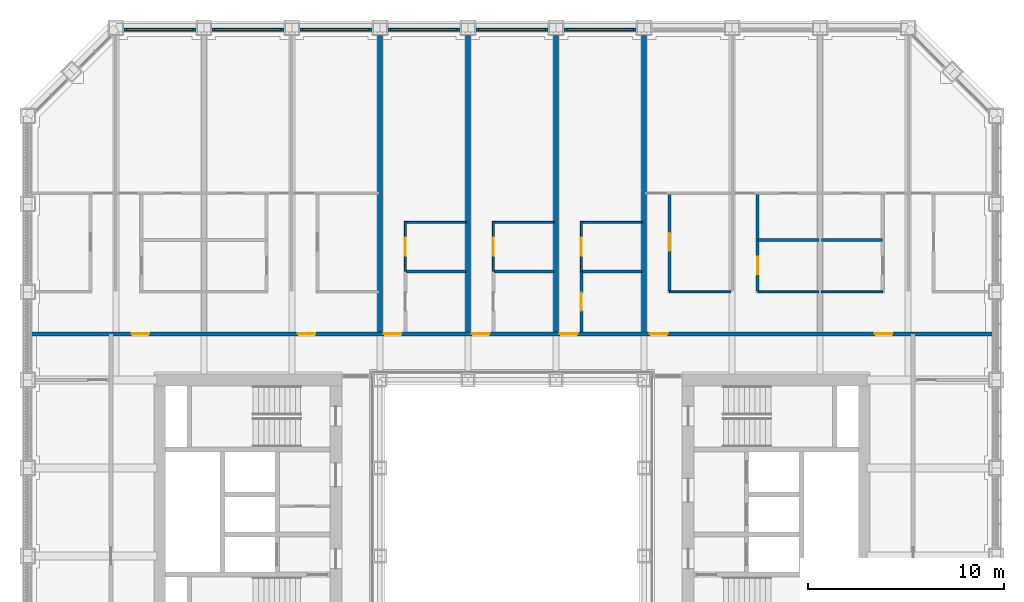
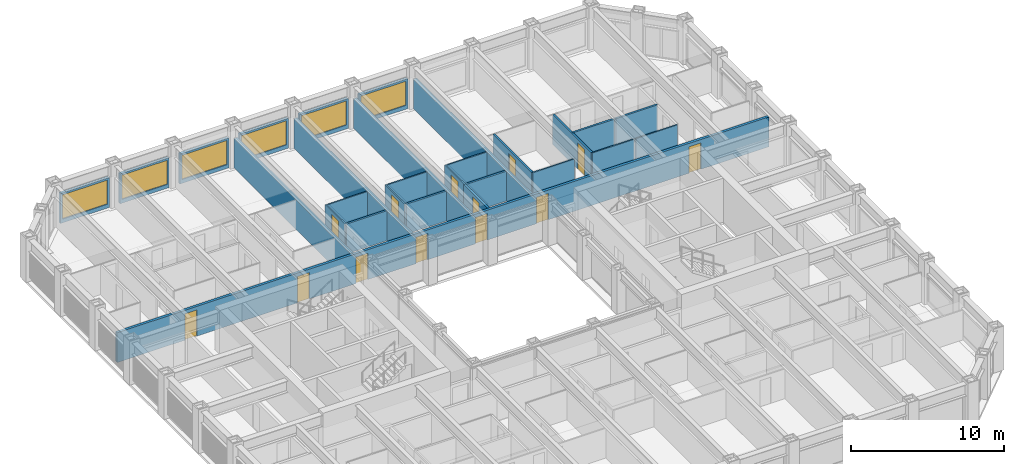
# One storey, part 14 of 21: 28 walls, 13 doors, 6 windows, 19 openings.
"""IFC4 building model written with IfcOpenShell, lengths in metres."""

from ifc_helpers import new_model, si_unit, direction, frame, frame_2d, origin, place, context, subcontext, project, spatial, rectangle, extrude, material, layer, layer_set, type_object, element, fill, save


model = new_model("IFC4")

# Units and contexts
model_context = context("Model", 3, precision=1e-05, world=origin(), true_north=direction((0.0, 1.0)))
body_context = subcontext(model_context, "Body", "Model", "MODEL_VIEW")
ifc_project = project(units=[si_unit("LENGTHUNIT", "METRE"), si_unit("AREAUNIT", "SQUARE_METRE"), si_unit("VOLUMEUNIT", "CUBIC_METRE"), si_unit("PLANEANGLEUNIT", "RADIAN"), si_unit("MASSUNIT", "GRAM", prefix="KILO")], contexts=[model_context])

# Site, building, storey
site_placement = place(None, origin())
site = spatial("IfcSite", under=ifc_project, at=site_placement, CompositionType="ELEMENT")
building_placement = place(site_placement, origin())
building = spatial("IfcBuilding", under=site, at=building_placement, Name="Msasa Ring Tower", CompositionType="ELEMENT")
storey_placement = place(building_placement, frame((0.0, 0.0, 37.0)))
storey = spatial("IfcBuildingStorey", under=building, at=storey_placement, Name="L08", CompositionType="ELEMENT", Elevation=37.0)

# Wall, opening, window
ifc_material_1 = material(Name="Terracotta rainscreen on blockwork", Category="masonry")
ifc_layer_1 = layer(ifc_material_1, 0.199951171875)
ifc_layer_set_1 = layer_set([ifc_layer_1], Name="FW1 TERRACOTTA-LINED INFILL BAY WALL 200")
wall_type_1 = type_object("IfcWallType", Name="FW1 TERRACOTTA-LINED INFILL BAY WALL 200", PredefinedType="SOLIDWALL", material=ifc_layer_set_1)
wall_1_placement = place(storey_placement, frame((-19.844970703125, 24.64990234375, 0.0), z_axis=(0.0, 0.0, 1.0), x_axis=(1.0, 0.0, 0.0)))
wall_1 = element("IfcWall", 1, at=wall_1_placement, inside=storey, type_object=wall_type_1, Name="Infill bay wall N L08 22", PredefinedType="SOLIDWALL", context=body_context, shape_type="SweptSolid", body=[
    extrude(rectangle(XDim=3.68994140625, YDim=0.199951171875, at=frame_2d((1.844970703125, 0.0))), origin(), (0.0, 0.0, 1.0), 2.37890625),
])
opening_1_placement = place(wall_1_placement, frame((0.14501953125, 0.0, 0.300048828125)))
opening_1 = element("IfcOpeningElement", 2, at=opening_1_placement, cuts=wall_1, Name="Opening WN1", PredefinedType="OPENING", context=body_context, shape_type="SweptSolid", body=[
    extrude(rectangle(XDim=3.39990234375, YDim=1.928955078125, at=frame_2d((1.699951171875, 0.96435546875))), frame((0.0, 0.10986328125, 0.0), z_axis=(0.0, -1.0, 0.0), x_axis=(1.0, 0.0, 0.0)), (0.0, 0.0, 1.0), 0.219970703125),
])
ifc_material_2 = material(Name="Aluminium frame with clear glass", Category="aluminium")
window_type = type_object("IfcWindowType", Name="WN1 RESIDENCE WINDOW 3400x1929", PartitioningType="SINGLE_PANEL", PredefinedType="WINDOW", material=ifc_material_2)
window_1_placement = place(opening_1_placement, origin())
window_1 = element("IfcWindow", 3, at=window_1_placement, inside=storey, type_object=window_type, Name="Window N L08 22", OverallHeight=1.928955078125, OverallWidth=3.39990234375, PartitioningType="SINGLE_PANEL", PredefinedType="WINDOW", context=body_context, shape_type="SweptSolid", body=[
    extrude(rectangle(XDim=3.39990234375, YDim=1.928955078125, at=frame_2d((1.699951171875, 0.96435546875))), frame((0.0, 0.030029296875, 0.0), z_axis=(0.0, -1.0, 0.0), x_axis=(1.0, 0.0, 0.0)), (0.0, 0.0, 1.0), 0.06005859375),
])
fill(opening_1, window_1)

wall_2_placement = place(storey_placement, frame((-15.344970703125, 24.64990234375, 0.0), z_axis=(0.0, 0.0, 1.0), x_axis=(1.0, 0.0, 0.0)))
wall_2 = element("IfcWall", 4, at=wall_2_placement, inside=storey, type_object=wall_type_1, Name="Infill bay wall N L08 23", PredefinedType="SOLIDWALL", context=body_context, shape_type="SweptSolid", body=[
    extrude(rectangle(XDim=3.68994140625, YDim=0.199951171875, at=frame_2d((1.844970703125, 0.0))), origin(), (0.0, 0.0, 1.0), 2.37890625),
])
opening_2_placement = place(wall_2_placement, frame((0.14501953125, 0.0, 0.300048828125)))
opening_2 = element("IfcOpeningElement", 5, at=opening_2_placement, cuts=wall_2, Name="Opening WN1", PredefinedType="OPENING", context=body_context, shape_type="SweptSolid", body=[
    extrude(rectangle(XDim=3.39990234375, YDim=1.928955078125, at=frame_2d((1.699951171875, 0.96435546875))), frame((0.0, 0.10986328125, 0.0), z_axis=(0.0, -1.0, 0.0), x_axis=(1.0, 0.0, 0.0)), (0.0, 0.0, 1.0), 0.219970703125),
])
window_2_placement = place(opening_2_placement, origin())
window_2 = element("IfcWindow", 6, at=window_2_placement, inside=storey, type_object=window_type, Name="Window N L08 23", OverallHeight=1.928955078125, OverallWidth=3.39990234375, PartitioningType="SINGLE_PANEL", PredefinedType="WINDOW", context=body_context, shape_type="SweptSolid", body=[
    extrude(rectangle(XDim=3.39990234375, YDim=1.928955078125, at=frame_2d((1.699951171875, 0.96435546875))), frame((0.0, 0.030029296875, 0.0), z_axis=(0.0, -1.0, 0.0), x_axis=(1.0, 0.0, 0.0)), (0.0, 0.0, 1.0), 0.06005859375),
])
fill(opening_2, window_2)

wall_3_placement = place(storey_placement, frame((-10.844970703125, 24.64990234375, 0.0), z_axis=(0.0, 0.0, 1.0), x_axis=(1.0, 0.0, 0.0)))
wall_3 = element("IfcWall", 7, at=wall_3_placement, inside=storey, type_object=wall_type_1, Name="Infill bay wall N L08 24", PredefinedType="SOLIDWALL", context=body_context, shape_type="SweptSolid", body=[
    extrude(rectangle(XDim=3.68994140625, YDim=0.199951171875, at=frame_2d((1.844970703125, 0.0))), origin(), (0.0, 0.0, 1.0), 2.37890625),
])
opening_3_placement = place(wall_3_placement, frame((0.14501953125, 0.0, 0.300048828125)))
opening_3 = element("IfcOpeningElement", 8, at=opening_3_placement, cuts=wall_3, Name="Opening WN1", PredefinedType="OPENING", context=body_context, shape_type="SweptSolid", body=[
    extrude(rectangle(XDim=3.39990234375, YDim=1.928955078125, at=frame_2d((1.699951171875, 0.96435546875))), frame((0.0, 0.10986328125, 0.0), z_axis=(0.0, -1.0, 0.0), x_axis=(1.0, 0.0, 0.0)), (0.0, 0.0, 1.0), 0.219970703125),
])
window_3_placement = place(opening_3_placement, origin())
window_3 = element("IfcWindow", 9, at=window_3_placement, inside=storey, type_object=window_type, Name="Window N L08 24", OverallHeight=1.928955078125, OverallWidth=3.39990234375, PartitioningType="SINGLE_PANEL", PredefinedType="WINDOW", context=body_context, shape_type="SweptSolid", body=[
    extrude(rectangle(XDim=3.39990234375, YDim=1.928955078125, at=frame_2d((1.699951171875, 0.96435546875))), frame((0.0, 0.030029296875, 0.0), z_axis=(0.0, -1.0, 0.0), x_axis=(1.0, 0.0, 0.0)), (0.0, 0.0, 1.0), 0.06005859375),
])
fill(opening_3, window_3)

wall_4_placement = place(storey_placement, frame((-6.344970703125, 24.64990234375, 0.0), z_axis=(0.0, 0.0, 1.0), x_axis=(1.0, 0.0, 0.0)))
wall_4 = element("IfcWall", 10, at=wall_4_placement, inside=storey, type_object=wall_type_1, Name="Infill bay wall N L08 25", PredefinedType="SOLIDWALL", context=body_context, shape_type="SweptSolid", body=[
    extrude(rectangle(XDim=3.68994140625, YDim=0.199951171875, at=frame_2d((1.844970703125, 0.0))), origin(), (0.0, 0.0, 1.0), 2.37890625),
])
opening_4_placement = place(wall_4_placement, frame((0.14501953125, 0.0, 0.300048828125)))
opening_4 = element("IfcOpeningElement", 11, at=opening_4_placement, cuts=wall_4, Name="Opening WN1", PredefinedType="OPENING", context=body_context, shape_type="SweptSolid", body=[
    extrude(rectangle(XDim=3.39990234375, YDim=1.928955078125, at=frame_2d((1.699951171875, 0.96435546875))), frame((0.0, 0.10986328125, 0.0), z_axis=(0.0, -1.0, 0.0), x_axis=(1.0, 0.0, 0.0)), (0.0, 0.0, 1.0), 0.219970703125),
])
window_4_placement = place(opening_4_placement, origin())
window_4 = element("IfcWindow", 12, at=window_4_placement, inside=storey, type_object=window_type, Name="Window N L08 25", OverallHeight=1.928955078125, OverallWidth=3.39990234375, PartitioningType="SINGLE_PANEL", PredefinedType="WINDOW", context=body_context, shape_type="SweptSolid", body=[
    extrude(rectangle(XDim=3.39990234375, YDim=1.928955078125, at=frame_2d((1.699951171875, 0.96435546875))), frame((0.0, 0.030029296875, 0.0), z_axis=(0.0, -1.0, 0.0), x_axis=(1.0, 0.0, 0.0)), (0.0, 0.0, 1.0), 0.06005859375),
])
fill(opening_4, window_4)

wall_5_placement = place(storey_placement, frame((-1.844970703125, 24.64990234375, 0.0), z_axis=(0.0, 0.0, 1.0), x_axis=(1.0, 0.0, 0.0)))
wall_5 = element("IfcWall", 13, at=wall_5_placement, inside=storey, type_object=wall_type_1, Name="Infill bay wall N L08 26", PredefinedType="SOLIDWALL", context=body_context, shape_type="SweptSolid", body=[
    extrude(rectangle(XDim=3.68994140625, YDim=0.199951171875, at=frame_2d((1.844970703125, 0.0))), origin(), (0.0, 0.0, 1.0), 2.37890625),
])
opening_5_placement = place(wall_5_placement, frame((0.14501953125, 0.0, 0.300048828125)))
opening_5 = element("IfcOpeningElement", 14, at=opening_5_placement, cuts=wall_5, Name="Opening WN1", PredefinedType="OPENING", context=body_context, shape_type="SweptSolid", body=[
    extrude(rectangle(XDim=3.39990234375, YDim=1.928955078125, at=frame_2d((1.699951171875, 0.96435546875))), frame((0.0, 0.10986328125, 0.0), z_axis=(0.0, -1.0, 0.0), x_axis=(1.0, 0.0, 0.0)), (0.0, 0.0, 1.0), 0.219970703125),
])
window_5_placement = place(opening_5_placement, origin())
window_5 = element("IfcWindow", 15, at=window_5_placement, inside=storey, type_object=window_type, Name="Window N L08 26", OverallHeight=1.928955078125, OverallWidth=3.39990234375, PartitioningType="SINGLE_PANEL", PredefinedType="WINDOW", context=body_context, shape_type="SweptSolid", body=[
    extrude(rectangle(XDim=3.39990234375, YDim=1.928955078125, at=frame_2d((1.699951171875, 0.96435546875))), frame((0.0, 0.030029296875, 0.0), z_axis=(0.0, -1.0, 0.0), x_axis=(1.0, 0.0, 0.0)), (0.0, 0.0, 1.0), 0.06005859375),
])
fill(opening_5, window_5)

wall_6_placement = place(storey_placement, frame((2.655029296875, 24.64990234375, 0.0), z_axis=(0.0, 0.0, 1.0), x_axis=(1.0, 0.0, 0.0)))
wall_6 = element("IfcWall", 16, at=wall_6_placement, inside=storey, type_object=wall_type_1, Name="Infill bay wall N L08 27", PredefinedType="SOLIDWALL", context=body_context, shape_type="SweptSolid", body=[
    extrude(rectangle(XDim=3.68994140625, YDim=0.199951171875, at=frame_2d((1.844970703125, 0.0))), origin(), (0.0, 0.0, 1.0), 2.37890625),
])
opening_6_placement = place(wall_6_placement, frame((0.14501953125, 0.0, 0.300048828125)))
opening_6 = element("IfcOpeningElement", 17, at=opening_6_placement, cuts=wall_6, Name="Opening WN1", PredefinedType="OPENING", context=body_context, shape_type="SweptSolid", body=[
    extrude(rectangle(XDim=3.39990234375, YDim=1.928955078125, at=frame_2d((1.699951171875, 0.96435546875))), frame((0.0, 0.10986328125, 0.0), z_axis=(0.0, -1.0, 0.0), x_axis=(1.0, 0.0, 0.0)), (0.0, 0.0, 1.0), 0.219970703125),
])
window_6_placement = place(opening_6_placement, origin())
window_6 = element("IfcWindow", 18, at=window_6_placement, inside=storey, type_object=window_type, Name="Window N L08 27", OverallHeight=1.928955078125, OverallWidth=3.39990234375, PartitioningType="SINGLE_PANEL", PredefinedType="WINDOW", context=body_context, shape_type="SweptSolid", body=[
    extrude(rectangle(XDim=3.39990234375, YDim=1.928955078125, at=frame_2d((1.699951171875, 0.96435546875))), frame((0.0, 0.030029296875, 0.0), z_axis=(0.0, -1.0, 0.0), x_axis=(1.0, 0.0, 0.0)), (0.0, 0.0, 1.0), 0.06005859375),
])
fill(opening_6, window_6)

# Wall, openings, doors
ifc_material_3 = material(Name="Concrete blockwork", Category="masonry")
ifc_layer_2 = layer(ifc_material_3, 0.199951171875)
ifc_layer_set_2 = layer_set([ifc_layer_2], Name="PT1 CORRIDOR WALL 200")
wall_type_2 = type_object("IfcWallType", Name="PT1 CORRIDOR WALL 200", PredefinedType="PARTITIONING", material=ifc_layer_set_2)
wall_7_placement = place(storey_placement, frame((-24.550048828125, 9.10009765625, 0.0), z_axis=(0.0, 0.0, 1.0), x_axis=(1.0, 0.0, 0.0)))
wall_7 = element("IfcWall", 19, at=wall_7_placement, inside=storey, type_object=wall_type_2, Name="Corridor wall L08-CORRN0", PredefinedType="PARTITIONING", context=body_context, shape_type="SweptSolid", body=[
    extrude(rectangle(XDim=49.10009765625, YDim=0.199951171875, at=frame_2d((24.550048828125, 0.0))), origin(), (0.0, 0.0, 1.0), 2.373291015625),
])
opening_7_placement = place(wall_7_placement, frame((5.10009765625, 0.0, 0.0)))
opening_7 = element("IfcOpeningElement", 20, at=opening_7_placement, cuts=wall_7, Name="Opening RB-027", PredefinedType="OPENING", context=body_context, shape_type="SweptSolid", body=[
    extrude(rectangle(XDim=0.89990234375, YDim=2.10009765625, at=frame_2d((0.449951171875, 1.050048828125))), frame((0.0, 0.10986328125, 0.0), z_axis=(0.0, -1.0, 0.0), x_axis=(1.0, 0.0, 0.0)), (0.0, 0.0, 1.0), 0.219970703125),
])
opening_8_placement = place(wall_7_placement, frame((13.60009765625, 0.0, 0.0)))
opening_8 = element("IfcOpeningElement", 21, at=opening_8_placement, cuts=wall_7, Name="Opening RB-028", PredefinedType="OPENING", context=body_context, shape_type="SweptSolid", body=[
    extrude(rectangle(XDim=0.89990234375, YDim=2.10009765625, at=frame_2d((0.449951171875, 1.050048828125))), frame((0.0, 0.10986328125, 0.0), z_axis=(0.0, -1.0, 0.0), x_axis=(1.0, 0.0, 0.0)), (0.0, 0.0, 1.0), 0.219970703125),
])
opening_9_placement = place(wall_7_placement, frame((18.0, 0.0, 0.0)))
opening_9 = element("IfcOpeningElement", 22, at=opening_9_placement, cuts=wall_7, Name="Opening RB-029", PredefinedType="OPENING", context=body_context, shape_type="SweptSolid", body=[
    extrude(rectangle(XDim=0.89990234375, YDim=2.10009765625, at=frame_2d((0.449951171875, 1.050048828125))), frame((0.0, 0.10986328125, 0.0), z_axis=(0.0, -1.0, 0.0), x_axis=(1.0, 0.0, 0.0)), (0.0, 0.0, 1.0), 0.219970703125),
])
opening_10_placement = place(wall_7_placement, frame((22.5, 0.0, 0.0)))
opening_10 = element("IfcOpeningElement", 23, at=opening_10_placement, cuts=wall_7, Name="Opening RB-030", PredefinedType="OPENING", context=body_context, shape_type="SweptSolid", body=[
    extrude(rectangle(XDim=0.89990234375, YDim=2.10009765625, at=frame_2d((0.449951171875, 1.050048828125))), frame((0.0, 0.10986328125, 0.0), z_axis=(0.0, -1.0, 0.0), x_axis=(1.0, 0.0, 0.0)), (0.0, 0.0, 1.0), 0.219970703125),
])
opening_11_placement = place(wall_7_placement, frame((27.0, 0.0, 0.0)))
opening_11 = element("IfcOpeningElement", 24, at=opening_11_placement, cuts=wall_7, Name="Opening RB-031", PredefinedType="OPENING", context=body_context, shape_type="SweptSolid", body=[
    extrude(rectangle(XDim=0.89990234375, YDim=2.10009765625, at=frame_2d((0.449951171875, 1.050048828125))), frame((0.0, 0.10986328125, 0.0), z_axis=(0.0, -1.0, 0.0), x_axis=(1.0, 0.0, 0.0)), (0.0, 0.0, 1.0), 0.219970703125),
])
opening_12_placement = place(wall_7_placement, frame((31.60009765625, 0.0, 0.0)))
opening_12 = element("IfcOpeningElement", 25, at=opening_12_placement, cuts=wall_7, Name="Opening RB-032", PredefinedType="OPENING", context=body_context, shape_type="SweptSolid", body=[
    extrude(rectangle(XDim=0.89990234375, YDim=2.10009765625, at=frame_2d((0.449951171875, 1.050048828125))), frame((0.0, 0.10986328125, 0.0), z_axis=(0.0, -1.0, 0.0), x_axis=(1.0, 0.0, 0.0)), (0.0, 0.0, 1.0), 0.219970703125),
])
opening_13_placement = place(wall_7_placement, frame((43.10009765625, 0.0, 0.0)))
opening_13 = element("IfcOpeningElement", 26, at=opening_13_placement, cuts=wall_7, Name="Opening RB-033", PredefinedType="OPENING", context=body_context, shape_type="SweptSolid", body=[
    extrude(rectangle(XDim=0.89990234375, YDim=2.10009765625, at=frame_2d((0.449951171875, 1.050048828125))), frame((0.0, 0.10986328125, 0.0), z_axis=(0.0, -1.0, 0.0), x_axis=(1.0, 0.0, 0.0)), (0.0, 0.0, 1.0), 0.219970703125),
])
ifc_material_4 = material(Name="Timber door leaf in a steel frame", Category="steel")
door_type_1 = type_object("IfcDoorType", Name="D2 ENTRANCE DOOR 900x2100", OperationType="SINGLE_SWING_LEFT", PredefinedType="DOOR", material=ifc_material_4)
door_1_placement = place(opening_7_placement, origin())
door_1 = element("IfcDoor", 27, at=door_1_placement, inside=storey, type_object=door_type_1, Name="Door L08-UN00", OperationType="SINGLE_SWING_LEFT", OverallHeight=2.10009765625, OverallWidth=0.89990234375, PredefinedType="DOOR", context=body_context, shape_type="SweptSolid", body=[
    extrude(rectangle(XDim=0.89990234375, YDim=2.10009765625, at=frame_2d((0.449951171875, 1.050048828125))), frame((0.0, 0.02490234375, 0.0), z_axis=(0.0, -1.0, 0.0), x_axis=(1.0, 0.0, 0.0)), (0.0, 0.0, 1.0), 0.050048828125),
])
fill(opening_7, door_1)
door_2_placement = place(opening_8_placement, origin())
door_2 = element("IfcDoor", 28, at=door_2_placement, inside=storey, type_object=door_type_1, Name="Door L08-UN01", OperationType="SINGLE_SWING_LEFT", OverallHeight=2.10009765625, OverallWidth=0.89990234375, PredefinedType="DOOR", context=body_context, shape_type="SweptSolid", body=[
    extrude(rectangle(XDim=0.89990234375, YDim=2.10009765625, at=frame_2d((0.449951171875, 1.050048828125))), frame((0.0, 0.02490234375, 0.0), z_axis=(0.0, -1.0, 0.0), x_axis=(1.0, 0.0, 0.0)), (0.0, 0.0, 1.0), 0.050048828125),
])
fill(opening_8, door_2)
door_3_placement = place(opening_9_placement, origin())
door_3 = element("IfcDoor", 29, at=door_3_placement, inside=storey, type_object=door_type_1, Name="Door L08-UN02", OperationType="SINGLE_SWING_LEFT", OverallHeight=2.10009765625, OverallWidth=0.89990234375, PredefinedType="DOOR", context=body_context, shape_type="SweptSolid", body=[
    extrude(rectangle(XDim=0.89990234375, YDim=2.10009765625, at=frame_2d((0.449951171875, 1.050048828125))), frame((0.0, 0.02490234375, 0.0), z_axis=(0.0, -1.0, 0.0), x_axis=(1.0, 0.0, 0.0)), (0.0, 0.0, 1.0), 0.050048828125),
])
fill(opening_9, door_3)
door_4_placement = place(opening_10_placement, origin())
door_4 = element("IfcDoor", 30, at=door_4_placement, inside=storey, type_object=door_type_1, Name="Door L08-UN03", OperationType="SINGLE_SWING_LEFT", OverallHeight=2.10009765625, OverallWidth=0.89990234375, PredefinedType="DOOR", context=body_context, shape_type="SweptSolid", body=[
    extrude(rectangle(XDim=0.89990234375, YDim=2.10009765625, at=frame_2d((0.449951171875, 1.050048828125))), frame((0.0, 0.02490234375, 0.0), z_axis=(0.0, -1.0, 0.0), x_axis=(1.0, 0.0, 0.0)), (0.0, 0.0, 1.0), 0.050048828125),
])
fill(opening_10, door_4)
door_5_placement = place(opening_11_placement, origin())
door_5 = element("IfcDoor", 31, at=door_5_placement, inside=storey, type_object=door_type_1, Name="Door L08-UN04", OperationType="SINGLE_SWING_RIGHT", OverallHeight=2.10009765625, OverallWidth=0.89990234375, PredefinedType="DOOR", context=body_context, shape_type="SweptSolid", body=[
    extrude(rectangle(XDim=0.89990234375, YDim=2.10009765625, at=frame_2d((0.449951171875, 1.050048828125))), frame((0.0, 0.02490234375, 0.0), z_axis=(0.0, -1.0, 0.0), x_axis=(1.0, 0.0, 0.0)), (0.0, 0.0, 1.0), 0.050048828125),
])
fill(opening_11, door_5)
door_6_placement = place(opening_12_placement, origin())
door_6 = element("IfcDoor", 32, at=door_6_placement, inside=storey, type_object=door_type_1, Name="Door L08-UN05", OperationType="SINGLE_SWING_RIGHT", OverallHeight=2.10009765625, OverallWidth=0.89990234375, PredefinedType="DOOR", context=body_context, shape_type="SweptSolid", body=[
    extrude(rectangle(XDim=0.89990234375, YDim=2.10009765625, at=frame_2d((0.449951171875, 1.050048828125))), frame((0.0, 0.02490234375, 0.0), z_axis=(0.0, -1.0, 0.0), x_axis=(1.0, 0.0, 0.0)), (0.0, 0.0, 1.0), 0.050048828125),
])
fill(opening_12, door_6)
door_7_placement = place(opening_13_placement, origin())
door_7 = element("IfcDoor", 33, at=door_7_placement, inside=storey, type_object=door_type_1, Name="Door L08-UN06", OperationType="SINGLE_SWING_RIGHT", OverallHeight=2.10009765625, OverallWidth=0.89990234375, PredefinedType="DOOR", context=body_context, shape_type="SweptSolid", body=[
    extrude(rectangle(XDim=0.89990234375, YDim=2.10009765625, at=frame_2d((0.449951171875, 1.050048828125))), frame((0.0, 0.02490234375, 0.0), z_axis=(0.0, -1.0, 0.0), x_axis=(1.0, 0.0, 0.0)), (0.0, 0.0, 1.0), 0.050048828125),
])
fill(opening_13, door_7)

# Wall
ifc_material_5 = material(Name="Gypsum board on steel studs", Category="steel")
ifc_layer_3 = layer(ifc_material_5, 0.10009765625)
ifc_layer_set_3 = layer_set([ifc_layer_3], Name="PT2 STUD PARTITION 100")
wall_type_3 = type_object("IfcWallType", Name="PT2 STUD PARTITION 100", PredefinedType="PARTITIONING", material=ifc_layer_set_3)
wall_8_placement = place(storey_placement, frame((-5.39990234375, 14.800048828125, 0.0), z_axis=(0.0, 0.0, 1.0), x_axis=(1.0, 0.0, 0.0)))
element("IfcWall", 34, at=wall_8_placement, inside=storey, type_object=wall_type_3, Name="Partition L08-UN02KY", PredefinedType="PARTITIONING", context=body_context, shape_type="SweptSolid", body=[
    extrude(rectangle(XDim=3.0498046875, YDim=0.10009765625, at=frame_2d((1.52490234375, 0.0))), origin(), (0.0, 0.0, 1.0), 2.373291015625),
])

# Wall, opening, door
wall_9_placement = place(storey_placement, frame((-5.449951171875, 12.300048828125, 0.0), z_axis=(0.0, 0.0, 1.0), x_axis=(0.0, 1.0, 0.0)))
wall_9 = element("IfcWall", 35, at=wall_9_placement, inside=storey, type_object=wall_type_3, Name="Partition L08-UN02KX", PredefinedType="PARTITIONING", context=body_context, shape_type="SweptSolid", body=[
    extrude(rectangle(XDim=2.550048828125, YDim=0.10009765625, at=frame_2d((1.27490234375, 0.0))), origin(), (0.0, 0.0, 1.0), 2.373291015625),
])
opening_14_placement = place(wall_9_placement, frame((0.81005859375, 0.0, 0.0)))
opening_14 = element("IfcOpeningElement", 36, at=opening_14_placement, cuts=wall_9, Name="Opening RB-017", PredefinedType="OPENING", context=body_context, shape_type="SweptSolid", body=[
    extrude(rectangle(XDim=0.89990234375, YDim=2.10009765625, at=frame_2d((0.449951171875, 1.050048828125))), frame((0.0, 0.06005859375, 0.0), z_axis=(0.0, -1.0, 0.0), x_axis=(1.0, 0.0, 0.0)), (0.0, 0.0, 1.0), 0.1201171875),
])
ifc_material_6 = material(Name="Timber door leaf in a steel frame", Category="steel")
door_type_2 = type_object("IfcDoorType", Name="D22 INTERNAL HALL DOOR 900x2100", OperationType="SINGLE_SWING_LEFT", PredefinedType="DOOR", material=ifc_material_6)
door_8_placement = place(opening_14_placement, origin())
door_8 = element("IfcDoor", 37, at=door_8_placement, inside=storey, type_object=door_type_2, Name="Door L08-UN02K", OperationType="SINGLE_SWING_LEFT", OverallHeight=2.10009765625, OverallWidth=0.89990234375, PredefinedType="DOOR", context=body_context, shape_type="SweptSolid", body=[
    extrude(rectangle(XDim=0.89990234375, YDim=2.10009765625, at=frame_2d((0.449951171875, 1.050048828125))), frame((0.0, 0.02490234375, 0.0), z_axis=(0.0, -1.0, 0.0), x_axis=(1.0, 0.0, 0.0)), (0.0, 0.0, 1.0), 0.050048828125),
])
fill(opening_14, door_8)

# Wall
wall_10_placement = place(storey_placement, frame((-0.89990234375, 14.800048828125, 0.0), z_axis=(0.0, 0.0, 1.0), x_axis=(1.0, 0.0, 0.0)))
element("IfcWall", 38, at=wall_10_placement, inside=storey, type_object=wall_type_3, Name="Partition L08-UN03KY", PredefinedType="PARTITIONING", context=body_context, shape_type="SweptSolid", body=[
    extrude(rectangle(XDim=3.0498046875, YDim=0.10009765625, at=frame_2d((1.52490234375, 0.0))), origin(), (0.0, 0.0, 1.0), 2.373291015625),
])

# Wall, opening, door
wall_11_placement = place(storey_placement, frame((-0.949951171875, 12.300048828125, 0.0), z_axis=(0.0, 0.0, 1.0), x_axis=(0.0, 1.0, 0.0)))
wall_11 = element("IfcWall", 39, at=wall_11_placement, inside=storey, type_object=wall_type_3, Name="Partition L08-UN03KX", PredefinedType="PARTITIONING", context=body_context, shape_type="SweptSolid", body=[
    extrude(rectangle(XDim=2.550048828125, YDim=0.10009765625, at=frame_2d((1.27490234375, 0.0))), origin(), (0.0, 0.0, 1.0), 2.373291015625),
])
opening_15_placement = place(wall_11_placement, frame((0.81005859375, 0.0, 0.0)))
opening_15 = element("IfcOpeningElement", 40, at=opening_15_placement, cuts=wall_11, Name="Opening RB-018", PredefinedType="OPENING", context=body_context, shape_type="SweptSolid", body=[
    extrude(rectangle(XDim=0.89990234375, YDim=2.10009765625, at=frame_2d((0.449951171875, 1.050048828125))), frame((0.0, 0.06005859375, 0.0), z_axis=(0.0, -1.0, 0.0), x_axis=(1.0, 0.0, 0.0)), (0.0, 0.0, 1.0), 0.1201171875),
])
door_9_placement = place(opening_15_placement, origin())
door_9 = element("IfcDoor", 41, at=door_9_placement, inside=storey, type_object=door_type_2, Name="Door L08-UN03K", OperationType="SINGLE_SWING_LEFT", OverallHeight=2.10009765625, OverallWidth=0.89990234375, PredefinedType="DOOR", context=body_context, shape_type="SweptSolid", body=[
    extrude(rectangle(XDim=0.89990234375, YDim=2.10009765625, at=frame_2d((0.449951171875, 1.050048828125))), frame((0.0, 0.02490234375, 0.0), z_axis=(0.0, -1.0, 0.0), x_axis=(1.0, 0.0, 0.0)), (0.0, 0.0, 1.0), 0.050048828125),
])
fill(opening_15, door_9)

# Wall
wall_12_placement = place(storey_placement, frame((3.60009765625, 14.800048828125, 0.0), z_axis=(0.0, 0.0, 1.0), x_axis=(1.0, 0.0, 0.0)))
element("IfcWall", 42, at=wall_12_placement, inside=storey, type_object=wall_type_3, Name="Partition L08-UN04KY", PredefinedType="PARTITIONING", context=body_context, shape_type="SweptSolid", body=[
    extrude(rectangle(XDim=3.0498046875, YDim=0.10009765625, at=frame_2d((1.52490234375, 0.0))), origin(), (0.0, 0.0, 1.0), 2.373291015625),
])

# Wall, opening, door
wall_13_placement = place(storey_placement, frame((3.550048828125, 12.300048828125, 0.0), z_axis=(0.0, 0.0, 1.0), x_axis=(0.0, 1.0, 0.0)))
wall_13 = element("IfcWall", 43, at=wall_13_placement, inside=storey, type_object=wall_type_3, Name="Partition L08-UN04KX", PredefinedType="PARTITIONING", context=body_context, shape_type="SweptSolid", body=[
    extrude(rectangle(XDim=2.550048828125, YDim=0.10009765625, at=frame_2d((1.27490234375, 0.0))), origin(), (0.0, 0.0, 1.0), 2.373291015625),
])
opening_16_placement = place(wall_13_placement, frame((0.81005859375, 0.0, 0.0)))
opening_16 = element("IfcOpeningElement", 44, at=opening_16_placement, cuts=wall_13, Name="Opening RB-019", PredefinedType="OPENING", context=body_context, shape_type="SweptSolid", body=[
    extrude(rectangle(XDim=0.89990234375, YDim=2.10009765625, at=frame_2d((0.449951171875, 1.050048828125))), frame((0.0, 0.06005859375, 0.0), z_axis=(0.0, -1.0, 0.0), x_axis=(1.0, 0.0, 0.0)), (0.0, 0.0, 1.0), 0.1201171875),
])
door_10_placement = place(opening_16_placement, origin())
door_10 = element("IfcDoor", 45, at=door_10_placement, inside=storey, type_object=door_type_2, Name="Door L08-UN04K", OperationType="SINGLE_SWING_LEFT", OverallHeight=2.10009765625, OverallWidth=0.89990234375, PredefinedType="DOOR", context=body_context, shape_type="SweptSolid", body=[
    extrude(rectangle(XDim=0.89990234375, YDim=2.10009765625, at=frame_2d((0.449951171875, 1.050048828125))), frame((0.0, 0.02490234375, 0.0), z_axis=(0.0, -1.0, 0.0), x_axis=(1.0, 0.0, 0.0)), (0.0, 0.0, 1.0), 0.050048828125),
])
fill(opening_16, door_10)

# Walls
for number, where, z_axis, x_axis, name in (
    (46, (8.050048828125, 11.25, 0.0), (0.0, 0.0, 1.0), (1.0, 0.0, 0.0), "Partition L08-UN05HY0"),
    (47, (12.550048828125, 11.25, 0.0), (0.0, 0.0, 1.0), (1.0, 0.0, 0.0), "Partition L08-UN05HY1"),
    (48, (15.81005859375, 11.25, 0.0), (0.0, 0.0, 1.0), (1.0, 0.0, 0.0), "Partition L08-UN06HY1"),
):
    element("IfcWall", number, at=place(storey_placement, frame(where, z_axis=z_axis, x_axis=x_axis)), inside=storey, type_object=wall_type_3, Name=name, PredefinedType="PARTITIONING", context=body_context, shape_type="SweptSolid", body=[
        extrude(rectangle(XDim=3.139892578125, YDim=0.10009765625, at=frame_2d((1.56982421875, 0.0))), origin(), (0.0, 0.0, 1.0), 2.373291015625),
    ])
ifc_material_7 = material(Name="Dense concrete blockwork, plastered both faces", Category="masonry")
ifc_layer_4 = layer(ifc_material_7, 0.25)
ifc_layer_set_4 = layer_set([ifc_layer_4], Name="PT3 APARTMENT SEPARATING WALL 250")
wall_type_4 = type_object("IfcWallType", Name="PT3 APARTMENT SEPARATING WALL 250", PredefinedType="PARTITIONING", material=ifc_layer_set_4)
for number, where, z_axis, x_axis, name in (
    (49, (-6.75, 9.199951171875, 0.0), (0.0, 0.0, 1.0), (0.0, 1.0, 0.0), "Party wall L08-PWN-6.75"),
    (50, (-2.25, 9.199951171875, 0.0), (0.0, 0.0, 1.0), (0.0, 1.0, 0.0), "Party wall L08-PWN-2.25"),
    (51, (2.25, 9.199951171875, 0.0), (0.0, 0.0, 1.0), (0.0, 1.0, 0.0), "Party wall L08-PWN+2.25"),
    (52, (6.75, 9.199951171875, 0.0), (0.0, 0.0, 1.0), (0.0, 1.0, 0.0), "Party wall L08-PWN+6.75"),
):
    element("IfcWall", number, at=place(storey_placement, frame(where, z_axis=z_axis, x_axis=x_axis)), inside=storey, type_object=wall_type_4, Name=name, PredefinedType="PARTITIONING", context=body_context, shape_type="SweptSolid", body=[
        extrude(rectangle(XDim=15.150146484375, YDim=0.25, at=frame_2d((7.5751953125, 0.0))), origin(), (0.0, 0.0, 1.0), 2.373291015625),
    ])
ifc_material_8 = material(Name="Moisture-resistant board on steel studs with a concealed cistern and pipe void, tiled", Category="steel")
ifc_layer_5 = layer(ifc_material_8, 0.14990234375)
ifc_layer_set_5 = layer_set([ifc_layer_5], Name="PT4 BATHROOM WET WALL 150")
wall_type_5 = type_object("IfcWallType", Name="PT4 BATHROOM WET WALL 150", PredefinedType="PARTITIONING", material=ifc_layer_set_5)
for number, where, z_axis, x_axis, name in (
    (53, (-5.39990234375, 12.300048828125, 0.0), (0.0, 0.0, 1.0), (1.0, 0.0, 0.0), "Partition L08-UN02BY"),
    (54, (-0.89990234375, 12.300048828125, 0.0), (0.0, 0.0, 1.0), (1.0, 0.0, 0.0), "Partition L08-UN03BY"),
):
    element("IfcWall", number, at=place(storey_placement, frame(where, z_axis=z_axis, x_axis=x_axis)), inside=storey, type_object=wall_type_5, Name=name, PredefinedType="PARTITIONING", context=body_context, shape_type="SweptSolid", body=[
        extrude(rectangle(XDim=3.0498046875, YDim=0.14990234375, at=frame_2d((1.52490234375, 0.0))), origin(), (0.0, 0.0, 1.0), 2.373291015625),
    ])

# Wall, opening, door
wall_14_placement = place(storey_placement, frame((3.550048828125, 9.199951171875, 0.0), z_axis=(0.0, 0.0, 1.0), x_axis=(0.0, 1.0, 0.0)))
wall_14 = element("IfcWall", 55, at=wall_14_placement, inside=storey, type_object=wall_type_5, Name="Partition L08-UN04BX", PredefinedType="PARTITIONING", context=body_context, shape_type="SweptSolid", body=[
    extrude(rectangle(XDim=3.150146484375, YDim=0.14990234375, at=frame_2d((1.5751953125, 0.0))), origin(), (0.0, 0.0, 1.0), 2.373291015625),
])
opening_17_placement = place(wall_14_placement, frame((1.10009765625, 0.0, 0.0)))
opening_17 = element("IfcOpeningElement", 56, at=opening_17_placement, cuts=wall_14, Name="Opening RB-026", PredefinedType="OPENING", context=body_context, shape_type="SweptSolid", body=[
    extrude(rectangle(XDim=0.89990234375, YDim=2.10009765625, at=frame_2d((0.449951171875, 1.050048828125))), frame((0.0, 0.0849609375, 0.0), z_axis=(0.0, -1.0, 0.0), x_axis=(1.0, 0.0, 0.0)), (0.0, 0.0, 1.0), 0.169921875),
])
ifc_material_9 = material(Name="Timber door leaf in a steel frame", Category="steel")
door_type_3 = type_object("IfcDoorType", Name="D3 BATHROOM DOOR 900x2100", OperationType="SINGLE_SWING_LEFT", PredefinedType="DOOR", material=ifc_material_9)
door_11_placement = place(opening_17_placement, origin())
door_11 = element("IfcDoor", 57, at=door_11_placement, inside=storey, type_object=door_type_3, Name="Door L08-UN04B", OperationType="SINGLE_SWING_LEFT", OverallHeight=2.10009765625, OverallWidth=0.89990234375, PredefinedType="DOOR", context=body_context, shape_type="SweptSolid", body=[
    extrude(rectangle(XDim=0.89990234375, YDim=2.10009765625, at=frame_2d((0.449951171875, 1.050048828125))), frame((0.0, 0.02490234375, 0.0), z_axis=(0.0, -1.0, 0.0), x_axis=(1.0, 0.0, 0.0)), (0.0, 0.0, 1.0), 0.050048828125),
])
fill(opening_17, door_11)

# Wall
wall_15_placement = place(storey_placement, frame((3.60009765625, 12.300048828125, 0.0), z_axis=(0.0, 0.0, 1.0), x_axis=(1.0, 0.0, 0.0)))
element("IfcWall", 58, at=wall_15_placement, inside=storey, type_object=wall_type_5, Name="Partition L08-UN04BY", PredefinedType="PARTITIONING", context=body_context, shape_type="SweptSolid", body=[
    extrude(rectangle(XDim=3.0498046875, YDim=0.14990234375, at=frame_2d((1.52490234375, 0.0))), origin(), (0.0, 0.0, 1.0), 2.373291015625),
])

# Wall, opening, door
wall_16_placement = place(storey_placement, frame((8.050048828125, 11.300048828125, 0.0), z_axis=(0.0, 0.0, 1.0), x_axis=(0.0, 1.0, 0.0)))
wall_16 = element("IfcWall", 59, at=wall_16_placement, inside=storey, type_object=wall_type_5, Name="Partition L08-UN05SX0", PredefinedType="PARTITIONING", context=body_context, shape_type="SweptSolid", body=[
    extrude(rectangle(XDim=5.0, YDim=0.14990234375, at=frame_2d((2.5, 0.0))), origin(), (0.0, 0.0, 1.0), 2.373291015625),
])
opening_18_placement = place(wall_16_placement, frame((2.050048828125, 0.0, 0.0)))
opening_18 = element("IfcOpeningElement", 60, at=opening_18_placement, cuts=wall_16, Name="Opening RB-015", PredefinedType="OPENING", context=body_context, shape_type="SweptSolid", body=[
    extrude(rectangle(XDim=0.89990234375, YDim=2.10009765625, at=frame_2d((0.449951171875, 1.050048828125))), frame((0.0, 0.0849609375, 0.0), z_axis=(0.0, -1.0, 0.0), x_axis=(1.0, 0.0, 0.0)), (0.0, 0.0, 1.0), 0.169921875),
])
door_12_placement = place(opening_18_placement, origin())
door_12 = element("IfcDoor", 61, at=door_12_placement, inside=storey, type_object=door_type_2, Name="Door L08-UN05K", OperationType="SINGLE_SWING_LEFT", OverallHeight=2.10009765625, OverallWidth=0.89990234375, PredefinedType="DOOR", context=body_context, shape_type="SweptSolid", body=[
    extrude(rectangle(XDim=0.89990234375, YDim=2.10009765625, at=frame_2d((0.449951171875, 1.050048828125))), frame((0.0, 0.02490234375, 0.0), z_axis=(0.0, -1.0, 0.0), x_axis=(1.0, 0.0, 0.0)), (0.0, 0.0, 1.0), 0.050048828125),
])
fill(opening_18, door_12)

wall_17_placement = place(storey_placement, frame((12.550048828125, 11.300048828125, 0.0), z_axis=(0.0, 0.0, 1.0), x_axis=(0.0, 1.0, 0.0)))
wall_17 = element("IfcWall", 62, at=wall_17_placement, inside=storey, type_object=wall_type_5, Name="Partition L08-UN05SX1", PredefinedType="PARTITIONING", context=body_context, shape_type="SweptSolid", body=[
    extrude(rectangle(XDim=5.0, YDim=0.14990234375, at=frame_2d((2.5, 0.0))), origin(), (0.0, 0.0, 1.0), 2.373291015625),
])
opening_19_placement = place(wall_17_placement, frame((0.85009765625, 0.0, 0.0)))
opening_19 = element("IfcOpeningElement", 63, at=opening_19_placement, cuts=wall_17, Name="Opening RB-022", PredefinedType="OPENING", context=body_context, shape_type="SweptSolid", body=[
    extrude(rectangle(XDim=0.89990234375, YDim=2.10009765625, at=frame_2d((0.449951171875, 1.050048828125))), frame((0.0, 0.0849609375, 0.0), z_axis=(0.0, -1.0, 0.0), x_axis=(1.0, 0.0, 0.0)), (0.0, 0.0, 1.0), 0.169921875),
])
door_13_placement = place(opening_19_placement, origin())
door_13 = element("IfcDoor", 64, at=door_13_placement, inside=storey, type_object=door_type_3, Name="Door L08-UN05B1", OperationType="SINGLE_SWING_LEFT", OverallHeight=2.10009765625, OverallWidth=0.89990234375, PredefinedType="DOOR", context=body_context, shape_type="SweptSolid", body=[
    extrude(rectangle(XDim=0.89990234375, YDim=2.10009765625, at=frame_2d((0.449951171875, 1.050048828125))), frame((0.0, 0.02490234375, 0.0), z_axis=(0.0, -1.0, 0.0), x_axis=(1.0, 0.0, 0.0)), (0.0, 0.0, 1.0), 0.050048828125),
])
fill(opening_19, door_13)

# Walls
for number, where, z_axis, x_axis, name in (
    (65, (12.550048828125, 13.89990234375, 0.0), (0.0, 0.0, 1.0), (1.0, 0.0, 0.0), "Partition L08-UN05SB1"),
    (66, (15.81005859375, 13.89990234375, 0.0), (0.0, 0.0, 1.0), (1.0, 0.0, 0.0), "Partition L08-UN06SB1"),
):
    element("IfcWall", number, at=place(storey_placement, frame(where, z_axis=z_axis, x_axis=x_axis)), inside=storey, type_object=wall_type_5, Name=name, PredefinedType="PARTITIONING", context=body_context, shape_type="SweptSolid", body=[
        extrude(rectangle(XDim=3.139892578125, YDim=0.14990234375, at=frame_2d((1.56982421875, 0.0))), origin(), (0.0, 0.0, 1.0), 2.373291015625),
    ])

save(model, "model.ifc")
